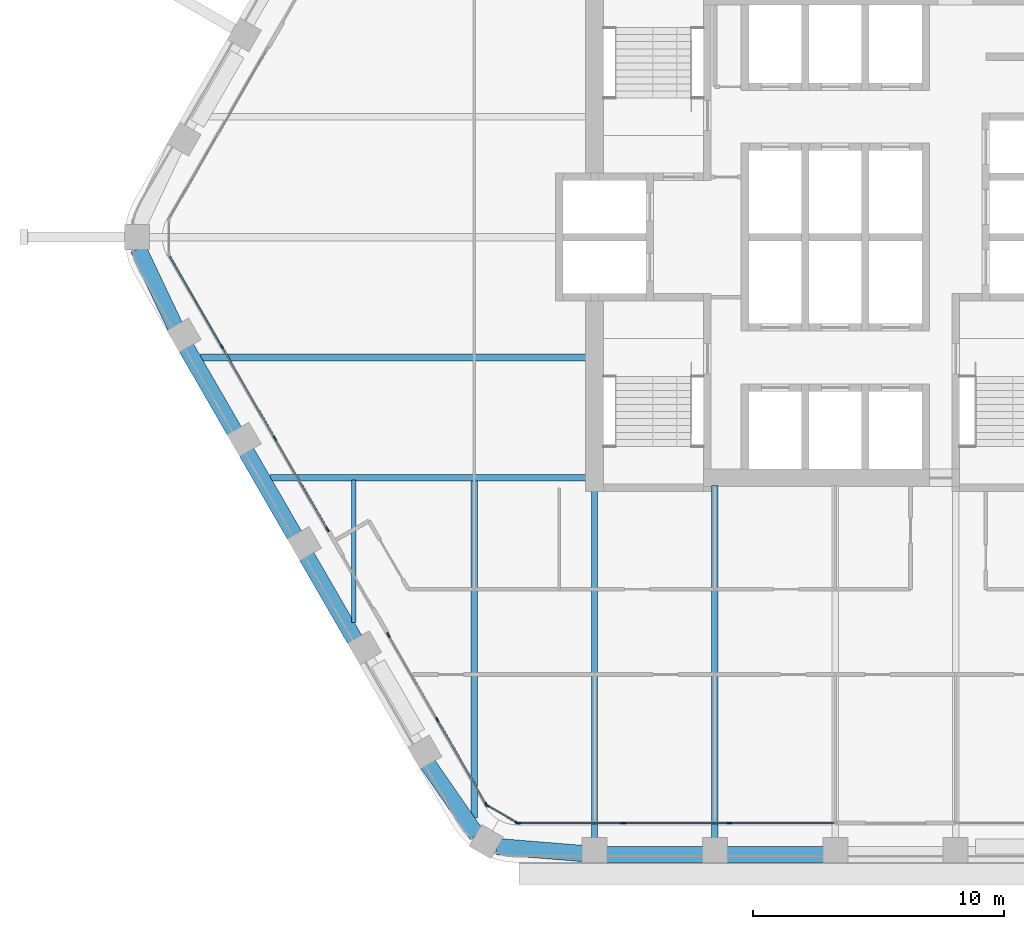
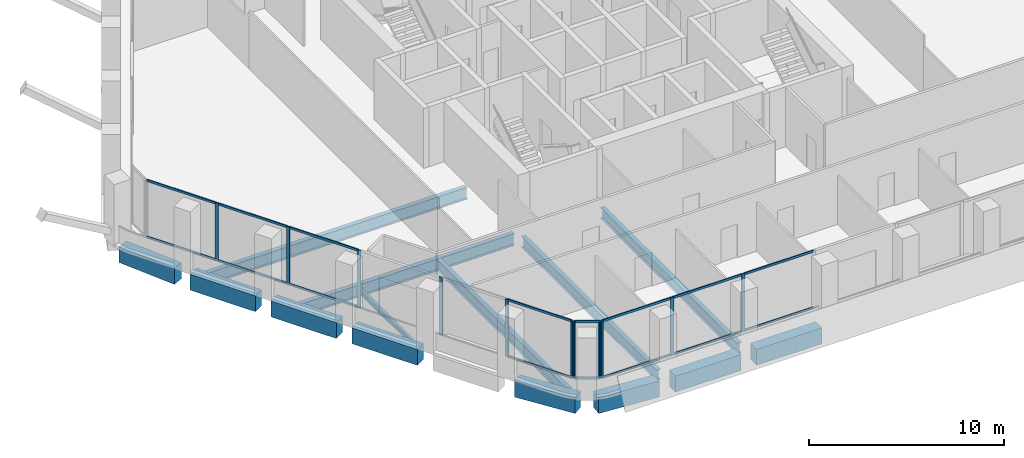
# One storey, part 2 of 16: 27 members, 14 beams, 4 elements without a shape of their own.
"""IFC4 building model written with IfcOpenShell, lengths in metres."""

from ifc_helpers import new_model, si_unit, direction, frame, origin, origin_2d, place, context, subcontext, project, spatial, rectangle, i_section, extrude, material, material_profile, profile_set, type_object, element, aggregate, save


model = new_model("IFC4")

# Units and contexts
model_context = context("Model", 3, precision=1e-05, world=origin(), true_north=direction((0.0, 1.0)))
body_context = subcontext(model_context, "Body", "Model", "MODEL_VIEW")
ifc_project = project(units=[si_unit("LENGTHUNIT", "METRE"), si_unit("AREAUNIT", "SQUARE_METRE"), si_unit("VOLUMEUNIT", "CUBIC_METRE"), si_unit("PLANEANGLEUNIT", "RADIAN"), si_unit("MASSUNIT", "GRAM", prefix="KILO")], contexts=[model_context])

# Site, building, storey
site_placement = place(None, origin())
site = spatial("IfcSite", under=ifc_project, at=site_placement, CompositionType="ELEMENT")
building_placement = place(site_placement, origin())
building = spatial("IfcBuilding", under=site, at=building_placement, Name="Kolab Exchange Tower", CompositionType="ELEMENT")
storey_placement = place(building_placement, frame((0.0, 0.0, 146.60009765625)))
storey = spatial("IfcBuildingStorey", under=building, at=storey_placement, Name="L29", CompositionType="ELEMENT", Elevation=146.60009765625)

# Beams
ifc_material_1 = material(Name="Steel S355", Category="steel")
ifc_material_profile_1 = material_profile(ifc_material_1, i_section(OverallWidth=0.1650390625, OverallDepth=0.31005859375, WebThickness=0.005859375, FlangeThickness=0.009765625, at=origin_2d()), Name="W310X39")
ifc_profile_set_1 = profile_set([ifc_material_profile_1], Name="Steel S355")
beam_type_1 = type_object("IfcBeamType", Name="FLOOR BEAM W310X39", PredefinedType="BEAM", material=ifc_profile_set_1)
beam_1_placement = place(storey_placement, frame((-19.199951171875, -15.36767578125, -0.30517578125), z_axis=(0.0, 1.0, 0.0), x_axis=(-1.0, 0.0, 0.0)))
element("IfcBeam", 1, at=beam_1_placement, inside=storey, type_object=beam_type_1, Name="beam/L29/fr/003", PredefinedType="BEAM", context=body_context, shape_type="SweptSolid", body=[
    extrude(i_section(OverallWidth=0.1650390625, OverallDepth=0.31005859375, WebThickness=0.005859375, FlangeThickness=0.009765625, at=origin_2d()), origin(), (0.0, 0.0, 1.0), 5.674072265625),
])
ifc_material_profile_2 = material_profile(ifc_material_1, i_section(OverallWidth=0.25390625, OverallDepth=0.68408203125, WebThickness=0.012451171875, FlangeThickness=0.018798828125, at=origin_2d()), Name="W690X140")
ifc_profile_set_2 = profile_set([ifc_material_profile_2], Name="Steel S355")
beam_type_2 = type_object("IfcBeamType", Name="FLOOR BEAM W690X140", PredefinedType="BEAM", material=ifc_profile_set_2)
beam_2_placement = place(storey_placement, frame((-14.39990234375, -23.15576171875, -0.4921875), z_axis=(0.0, 1.0, 0.0), x_axis=(-1.0, 0.0, 0.0)))
element("IfcBeam", 2, at=beam_2_placement, inside=storey, type_object=beam_type_2, Name="beam/L29/fr/005", PredefinedType="BEAM", context=body_context, shape_type="SweptSolid", body=[
    extrude(i_section(OverallWidth=0.25390625, OverallDepth=0.68408203125, WebThickness=0.012451171875, FlangeThickness=0.018798828125, at=origin_2d()), origin(), (0.0, 0.0, 1.0), 13.462158203125),
])
beam_3_placement = place(storey_placement, frame((-9.60009765625, -23.9814453125, -0.4921875), z_axis=(0.0, 1.0, 0.0), x_axis=(-1.0, 0.0, 0.0)))
element("IfcBeam", 3, at=beam_3_placement, inside=storey, type_object=beam_type_2, Name="beam/L29/fr/007", PredefinedType="BEAM", context=body_context, shape_type="SweptSolid", body=[
    extrude(i_section(OverallWidth=0.25390625, OverallDepth=0.68408203125, WebThickness=0.012451171875, FlangeThickness=0.018798828125, at=origin_2d()), origin(), (0.0, 0.0, 1.0), 13.871337890625),
])
beam_4_placement = place(storey_placement, frame((-4.800048828125, -23.9814453125, -0.4921875), z_axis=(0.0, 1.0, 0.0), x_axis=(-1.0, 0.0, 0.0)))
element("IfcBeam", 4, at=beam_4_placement, inside=storey, type_object=beam_type_2, Name="beam/L29/fr/009", PredefinedType="BEAM", context=body_context, shape_type="SweptSolid", body=[
    extrude(i_section(OverallWidth=0.25390625, OverallDepth=0.68408203125, WebThickness=0.012451171875, FlangeThickness=0.018798828125, at=origin_2d()), origin(), (0.0, 0.0, 1.0), 14.071533203125),
])
ifc_material_profile_3 = material_profile(ifc_material_1, i_section(OverallWidth=0.26708984375, OverallDepth=0.761962890625, WebThickness=0.014404296875, FlangeThickness=0.021484375, at=origin_2d()), Name="W760X173")
ifc_profile_set_3 = profile_set([ifc_material_profile_3], Name="Steel S355")
beam_type_3 = type_object("IfcBeamType", Name="FLOOR BEAM W760X173", PredefinedType="BEAM", material=ifc_profile_set_3)
beam_5_placement = place(storey_placement, frame((-25.318115234375, -4.800048828125, -0.531005859375), z_axis=(1.0, 0.0, 0.0), x_axis=(0.0, 1.0, 0.0)))
element("IfcBeam", 5, at=beam_5_placement, inside=storey, type_object=beam_type_3, Name="beam/L29/fr/001", PredefinedType="BEAM", context=body_context, shape_type="SweptSolid", body=[
    extrude(i_section(OverallWidth=0.26708984375, OverallDepth=0.761962890625, WebThickness=0.014404296875, FlangeThickness=0.021484375, at=origin_2d()), origin(), (0.0, 0.0, 1.0), 15.408203125),
])
ifc_material_profile_4 = material_profile(ifc_material_1, i_section(OverallWidth=0.26708984375, OverallDepth=0.761962890625, WebThickness=0.014404296875, FlangeThickness=0.021484375, at=origin_2d()), Name="W760X173")
ifc_profile_set_4 = profile_set([ifc_material_profile_4], Name="Steel S355")
beam_type_4 = type_object("IfcBeamType", Name="FLOOR GIRDER W760X173", PredefinedType="BEAM", material=ifc_profile_set_4)
beam_6_placement = place(storey_placement, frame((-22.546875, -9.60009765625, -0.531005859375), z_axis=(1.0, 0.0, 0.0), x_axis=(0.0, 1.0, 0.0)))
element("IfcBeam", 6, at=beam_6_placement, inside=storey, type_object=beam_type_4, Name="beam/L29/gd/000", PredefinedType="BEAM", context=body_context, shape_type="SweptSolid", body=[
    extrude(i_section(OverallWidth=0.26708984375, OverallDepth=0.761962890625, WebThickness=0.014404296875, FlangeThickness=0.021484375, at=origin_2d()), origin(), (0.0, 0.0, 1.0), 12.636962890625),
])
ifc_material_2 = material(Name="Concrete C60/75", Category="concrete")
ifc_material_profile_5 = material_profile(ifc_material_2, rectangle(XDim=0.64990234375, YDim=1.0, at=origin_2d()), Name="RC650X1000")
ifc_profile_set_5 = profile_set([ifc_material_profile_5], Name="Concrete C60/75")
beam_type_5 = type_object("IfcBeamType", Name="SPANDREL BEAM 650X1000 C60/75", PredefinedType="BEAM", material=ifc_profile_set_5)
beam_7_placement = place(storey_placement, frame((-0.4599609375, -24.616455078125, -0.650146484375), z_axis=(-1.0, 0.0, 0.0), x_axis=(0.0, -1.0, 0.0)))
element("IfcBeam", 7, at=beam_7_placement, inside=storey, type_object=beam_type_5, Name="beam/L29/sp/F4-04", PredefinedType="BEAM", context=body_context, shape_type="SweptSolid", body=[
    extrude(rectangle(XDim=0.64990234375, YDim=1.0, at=origin_2d()), origin(), (0.0, 0.0, 1.0), 3.880126953125),
])
beam_8_placement = place(storey_placement, frame((-5.260009765625, -24.616455078125, -0.650146484375), z_axis=(-1.0, 0.0, 0.0), x_axis=(0.0, -1.0, 0.0)))
element("IfcBeam", 8, at=beam_8_placement, inside=storey, type_object=beam_type_5, Name="beam/L29/sp/F4-05", PredefinedType="BEAM", context=body_context, shape_type="SweptSolid", body=[
    extrude(rectangle(XDim=0.64990234375, YDim=1.0, at=origin_2d()), origin(), (0.0, 0.0, 1.0), 3.8798828125),
])
for number, where, z_axis, x_axis, name in (
    (9, (-10.06005859375, -24.5791015625, -0.650146484375), (-0.996708497182, 0.081068931445, 0.0), (-0.081068931445, -0.996708497182, 0.0), "beam/L29/sp/F4-06"),
    (10, (-14.29736328125, -23.8359375, -0.650146484375), (-0.568572281073, 0.822633309073, 0.0), (-0.822633309073, -0.568572281073, 0.0), "beam/L29/sp/F5-01"),
):
    element("IfcBeam", number, at=place(storey_placement, frame(where, z_axis=z_axis, x_axis=x_axis)), inside=storey, type_object=beam_type_5, Name=name, PredefinedType="BEAM", context=body_context, shape_type="SweptSolid", body=[
        extrude(rectangle(XDim=0.64990234375, YDim=1.0, at=origin_2d()), origin(), (0.0, 0.0, 1.0), 3.445068359375),
    ])
beam_9_placement = place(storey_placement, frame((-19.1484375, -16.06689453125, -0.650146484375), z_axis=(-0.50001655835, 0.866015843605, 0.0), x_axis=(-0.866015843605, -0.50001655835, 0.0)))
element("IfcBeam", 11, at=beam_9_placement, inside=storey, type_object=beam_type_5, Name="beam/L29/sp/F5-03", PredefinedType="BEAM", context=body_context, shape_type="SweptSolid", body=[
    extrude(rectangle(XDim=0.64990234375, YDim=1.0, at=origin_2d()), origin(), (0.0, 0.0, 1.0), 3.880126953125),
])
for number, where, z_axis, x_axis, name in (
    (12, (-21.548583984375, -11.909912109375, -0.650146484375), (-0.499996613652, 0.866027358884, 0.0), (-0.866027358884, -0.499996613652, 0.0), "beam/L29/sp/F5-04"),
    (13, (-23.948486328125, -7.7529296875, -0.650146484375), (-0.499996613652, 0.866027358884, 0.0), (-0.866027358884, -0.499996613652, 0.0), "beam/L29/sp/F5-05"),
):
    element("IfcBeam", number, at=place(storey_placement, frame(where, z_axis=z_axis, x_axis=x_axis)), inside=storey, type_object=beam_type_5, Name=name, PredefinedType="BEAM", context=body_context, shape_type="SweptSolid", body=[
        extrude(rectangle(XDim=0.64990234375, YDim=1.0, at=origin_2d()), origin(), (0.0, 0.0, 1.0), 3.8798828125),
    ])
beam_10_placement = place(storey_placement, frame((-26.316162109375, -3.5771484375, -0.650146484375), z_axis=(-0.428177731975, 0.903694544545, 0.0), x_axis=(-0.903694544545, -0.428177731975, 0.0)))
element("IfcBeam", 14, at=beam_10_placement, inside=storey, type_object=beam_type_5, Name="beam/L29/sp/F5-06", PredefinedType="BEAM", context=body_context, shape_type="SweptSolid", body=[
    extrude(rectangle(XDim=0.64990234375, YDim=1.0, at=origin_2d()), origin(), (0.0, 0.0, 1.0), 3.445068359375),
])

# Curtain wall, members
ifc_material_3 = material(Name="Aluminium EN AW-6063 T6", Category="aluminium")
curtain_wall_type = type_object("IfcCurtainWallType", Name="UNITISED UPPER MID ZONE CURTAIN WALL", PredefinedType="NOTDEFINED", material=ifc_material_3)
curtain_wall_1_placement = place(storey_placement, origin())
curtain_wall_1 = element("IfcCurtainWall", 15, at=curtain_wall_1_placement, inside=storey, type_object=curtain_wall_type, Name="cw/L29/F4-2", PredefinedType="NOTDEFINED")
ifc_material_profile_6 = material_profile(ifc_material_3, rectangle(XDim=0.06005859375, YDim=0.199951171875, at=origin_2d()), Name="RECT 60X200")
ifc_profile_set_6 = profile_set([ifc_material_profile_6], Name="Aluminium EN AW-6063 T6")
member_type_1 = type_object("IfcMemberType", Name="UNITISED UPPER MID ZONE MULLION 60 X 200", PredefinedType="MULLION", material=ifc_profile_set_6)
member_1_placement = place(storey_placement, frame((-4.22265625, -23.361572265625, 0.0), z_axis=(0.0, 0.0, 1.0), x_axis=(0.0, -1.0, 0.0)))
member_1 = element("IfcMember", 16, at=member_1_placement, type_object=member_type_1, Name="CW3 mullion 2", PredefinedType="MULLION", context=body_context, shape_type="SweptSolid", body=[
    extrude(rectangle(XDim=0.06005859375, YDim=0.199951171875, at=origin_2d()), origin(), (0.0, 0.0, 1.0), 3.599853515625),
])
member_2_placement = place(storey_placement, frame((-8.4453125, -23.361572265625, 0.0), z_axis=(0.0, 0.0, 1.0), x_axis=(0.0, -1.0, 0.0)))
member_2 = element("IfcMember", 17, at=member_2_placement, type_object=member_type_1, Name="CW3 mullion 3", PredefinedType="MULLION", context=body_context, shape_type="SweptSolid", body=[
    extrude(rectangle(XDim=0.06005859375, YDim=0.199951171875, at=origin_2d()), origin(), (0.0, 0.0, 1.0), 3.599853515625),
])
member_3_placement = place(storey_placement, frame((-12.637939453125, -23.361572265625, 0.0), z_axis=(0.0, 0.0, 1.0), x_axis=(0.0, -1.0, 0.0)))
member_3 = element("IfcMember", 18, at=member_3_placement, type_object=member_type_1, Name="CW3 mullion 4", PredefinedType="MULLION", context=body_context, shape_type="SweptSolid", body=[
    extrude(rectangle(XDim=0.06005859375, YDim=0.199951171875, at=origin_2d()), origin(), (0.0, 0.0, 1.0), 3.599853515625),
])

curtain_wall_2_placement = place(storey_placement, origin())
curtain_wall_2 = element("IfcCurtainWall", 19, at=curtain_wall_2_placement, inside=storey, type_object=curtain_wall_type, Name="cw/L29/F5-1", PredefinedType="NOTDEFINED")
member_4_placement = place(storey_placement, frame((-13.91259765625, -22.62548828125, 0.0), z_axis=(0.0, 0.0, 1.0), x_axis=(-0.866025385493, -0.500000031681, 0.0)))
member_4 = element("IfcMember", 20, at=member_4_placement, type_object=member_type_1, Name="CW3 mullion 1", PredefinedType="MULLION", context=body_context, shape_type="SweptSolid", body=[
    extrude(rectangle(XDim=0.06005859375, YDim=0.199951171875, at=origin_2d()), origin(), (0.0, 0.0, 1.0), 3.599853515625),
])
member_5_placement = place(storey_placement, frame((-15.86474609375, -19.24462890625, 0.0), z_axis=(0.0, 0.0, 1.0), x_axis=(-0.866025385493, -0.500000031681, 0.0)))
member_5 = element("IfcMember", 21, at=member_5_placement, type_object=member_type_1, Name="CW3 mullion 2", PredefinedType="MULLION", context=body_context, shape_type="SweptSolid", body=[
    extrude(rectangle(XDim=0.06005859375, YDim=0.199951171875, at=origin_2d()), origin(), (0.0, 0.0, 1.0), 3.599853515625),
])
member_6_placement = place(storey_placement, frame((-17.816650390625, -15.86376953125, 0.0), z_axis=(0.0, 0.0, 1.0), x_axis=(-0.866025385493, -0.500000031681, 0.0)))
member_6 = element("IfcMember", 22, at=member_6_placement, type_object=member_type_1, Name="CW3 mullion 3", PredefinedType="MULLION", context=body_context, shape_type="SweptSolid", body=[
    extrude(rectangle(XDim=0.06005859375, YDim=0.199951171875, at=origin_2d()), origin(), (0.0, 0.0, 1.0), 3.599853515625),
])

curtain_wall_3_placement = place(storey_placement, origin())
curtain_wall_3 = element("IfcCurtainWall", 23, at=curtain_wall_3_placement, inside=storey, type_object=curtain_wall_type, Name="cw/L29/F5-2", PredefinedType="NOTDEFINED")
member_7_placement = place(storey_placement, frame((-20.24658203125, -11.65478515625, 0.0), z_axis=(0.0, 0.0, 1.0), x_axis=(-0.866025427826, -0.499999958358, 0.0)))
member_7 = element("IfcMember", 24, at=member_7_placement, type_object=member_type_1, Name="CW3 mullion 1", PredefinedType="MULLION", context=body_context, shape_type="SweptSolid", body=[
    extrude(rectangle(XDim=0.06005859375, YDim=0.199951171875, at=origin_2d()), origin(), (0.0, 0.0, 1.0), 3.599853515625),
])
member_8_placement = place(storey_placement, frame((-22.343017578125, -8.02392578125, 0.0), z_axis=(0.0, 0.0, 1.0), x_axis=(-0.866025427826, -0.499999958358, 0.0)))
member_8 = element("IfcMember", 25, at=member_8_placement, type_object=member_type_1, Name="CW3 mullion 2", PredefinedType="MULLION", context=body_context, shape_type="SweptSolid", body=[
    extrude(rectangle(XDim=0.06005859375, YDim=0.199951171875, at=origin_2d()), origin(), (0.0, 0.0, 1.0), 3.599853515625),
])
member_9_placement = place(storey_placement, frame((-24.454345703125, -4.366943359375, 0.0), z_axis=(0.0, 0.0, 1.0), x_axis=(-0.866025427826, -0.499999958358, 0.0)))
member_9 = element("IfcMember", 26, at=member_9_placement, type_object=member_type_1, Name="CW3 mullion 3", PredefinedType="MULLION", context=body_context, shape_type="SweptSolid", body=[
    extrude(rectangle(XDim=0.06005859375, YDim=0.199951171875, at=origin_2d()), origin(), (0.0, 0.0, 1.0), 3.599853515625),
])

curtain_wall_4_placement = place(storey_placement, origin())
curtain_wall_4 = element("IfcCurtainWall", 27, at=curtain_wall_4_placement, inside=storey, type_object=curtain_wall_type, Name="cw/L29/F4F5-corner", PredefinedType="NOTDEFINED")
member_10_placement = place(storey_placement, frame((-12.69384765625, -23.346435546875, 0.0), z_axis=(0.0, 0.0, 1.0), x_axis=(-0.50000002237, -0.866025390869, 0.0)))
member_10 = element("IfcMember", 28, at=member_10_placement, type_object=member_type_1, Name="CW3 mullion 1", PredefinedType="MULLION", context=body_context, shape_type="SweptSolid", body=[
    extrude(rectangle(XDim=0.06005859375, YDim=0.199951171875, at=origin_2d()), origin(), (0.0, 0.0, 1.0), 3.599853515625),
])
member_11_placement = place(storey_placement, frame((-13.871826171875, -22.66650390625, 0.0), z_axis=(0.0, 0.0, 1.0), x_axis=(-0.50000002237, -0.866025390869, 0.0)))
member_11 = element("IfcMember", 29, at=member_11_placement, type_object=member_type_1, Name="CW3 mullion 2", PredefinedType="MULLION", context=body_context, shape_type="SweptSolid", body=[
    extrude(rectangle(XDim=0.06005859375, YDim=0.199951171875, at=origin_2d()), origin(), (0.0, 0.0, 1.0), 3.599853515625),
])

# Member
ifc_material_profile_7 = material_profile(ifc_material_3, rectangle(XDim=0.06005859375, YDim=0.139892578125, at=origin_2d()), Name="RECT 60X140")
ifc_profile_set_7 = profile_set([ifc_material_profile_7], Name="Aluminium EN AW-6063 T6")
member_type_2 = type_object("IfcMemberType", Name="UNITISED UPPER MID ZONE TRANSOM 60 X 140", PredefinedType="USERDEFINED", material=ifc_profile_set_7)
member_12_placement = place(storey_placement, frame((-0.06005859375, -23.361572265625, 0.02978515625), z_axis=(-1.0, 0.0, 0.0), x_axis=(0.0, -1.0, 0.0)))
member_12 = element("IfcMember", 30, at=member_12_placement, type_object=member_type_2, Name="CW3 transom 1.1", ObjectType="TRANSOM", PredefinedType="USERDEFINED", context=body_context, shape_type="SweptSolid", body=[
    extrude(rectangle(XDim=0.06005859375, YDim=0.139892578125, at=origin_2d()), origin(), (0.0, 0.0, 1.0), 4.132568359375),
])

member_13_placement = place(storey_placement, frame((-0.06005859375, -23.361572265625, 3.56982421875), z_axis=(-1.0, 0.0, 0.0), x_axis=(0.0, -1.0, 0.0)))
member_13 = element("IfcMember", 31, at=member_13_placement, type_object=member_type_2, Name="CW3 transom 1.2", ObjectType="TRANSOM", PredefinedType="USERDEFINED", context=body_context, shape_type="SweptSolid", body=[
    extrude(rectangle(XDim=0.06005859375, YDim=0.139892578125, at=origin_2d()), origin(), (0.0, 0.0, 1.0), 4.132568359375),
])

member_14_placement = place(storey_placement, frame((-4.252685546875, -23.361572265625, 0.02978515625), z_axis=(-1.0, 0.0, 0.0), x_axis=(0.0, -1.0, 0.0)))
member_14 = element("IfcMember", 32, at=member_14_placement, type_object=member_type_2, Name="CW3 transom 2.1", ObjectType="TRANSOM", PredefinedType="USERDEFINED", context=body_context, shape_type="SweptSolid", body=[
    extrude(rectangle(XDim=0.06005859375, YDim=0.139892578125, at=origin_2d()), origin(), (0.0, 0.0, 1.0), 4.16259765625),
])

member_15_placement = place(storey_placement, frame((-4.252685546875, -23.361572265625, 3.56982421875), z_axis=(-1.0, 0.0, 0.0), x_axis=(0.0, -1.0, 0.0)))
member_15 = element("IfcMember", 33, at=member_15_placement, type_object=member_type_2, Name="CW3 transom 2.2", ObjectType="TRANSOM", PredefinedType="USERDEFINED", context=body_context, shape_type="SweptSolid", body=[
    extrude(rectangle(XDim=0.06005859375, YDim=0.139892578125, at=origin_2d()), origin(), (0.0, 0.0, 1.0), 4.16259765625),
])

member_16_placement = place(storey_placement, frame((-8.475341796875, -23.361572265625, 0.02978515625), z_axis=(-1.0, 0.0, 0.0), x_axis=(0.0, -1.0, 0.0)))
member_16 = element("IfcMember", 34, at=member_16_placement, type_object=member_type_2, Name="CW3 transom 3.1", ObjectType="TRANSOM", PredefinedType="USERDEFINED", context=body_context, shape_type="SweptSolid", body=[
    extrude(rectangle(XDim=0.06005859375, YDim=0.139892578125, at=origin_2d()), origin(), (0.0, 0.0, 1.0), 4.132568359375),
])

member_17_placement = place(storey_placement, frame((-8.475341796875, -23.361572265625, 3.56982421875), z_axis=(-1.0, 0.0, 0.0), x_axis=(0.0, -1.0, 0.0)))
member_17 = element("IfcMember", 35, at=member_17_placement, type_object=member_type_2, Name="CW3 transom 3.2", ObjectType="TRANSOM", PredefinedType="USERDEFINED", context=body_context, shape_type="SweptSolid", body=[
    extrude(rectangle(XDim=0.06005859375, YDim=0.139892578125, at=origin_2d()), origin(), (0.0, 0.0, 1.0), 4.132568359375),
])

aggregate(curtain_wall_1, [member_1, member_2, member_3, member_12, member_13, member_14, member_15, member_16, member_17])

member_18_placement = place(storey_placement, frame((-13.927734375, -22.599609375, 0.02978515625), z_axis=(-0.499964356602, 0.866045981532, 0.0), x_axis=(-0.866045981532, -0.499964356602, 0.0)))
member_18 = element("IfcMember", 36, at=member_18_placement, type_object=member_type_2, Name="CW3 transom 1.1", ObjectType="TRANSOM", PredefinedType="USERDEFINED", context=body_context, shape_type="SweptSolid", body=[
    extrude(rectangle(XDim=0.06005859375, YDim=0.139892578125, at=origin_2d()), origin(), (0.0, 0.0, 1.0), 3.843994140625),
])

member_19_placement = place(storey_placement, frame((-13.927734375, -22.599609375, 3.56982421875), z_axis=(-0.499964356602, 0.866045981532, 0.0), x_axis=(-0.866045981532, -0.499964356602, 0.0)))
member_19 = element("IfcMember", 37, at=member_19_placement, type_object=member_type_2, Name="CW3 transom 1.2", ObjectType="TRANSOM", PredefinedType="USERDEFINED", context=body_context, shape_type="SweptSolid", body=[
    extrude(rectangle(XDim=0.06005859375, YDim=0.139892578125, at=origin_2d()), origin(), (0.0, 0.0, 1.0), 3.843994140625),
])

aggregate(curtain_wall_2, [member_4, member_5, member_6, member_18, member_19])

member_20_placement = place(storey_placement, frame((-20.26171875, -11.62890625, 0.02978515625), z_axis=(-0.500001996123, 0.866024251319, 0.0), x_axis=(-0.866024251319, -0.500001996123, 0.0)))
member_20 = element("IfcMember", 38, at=member_20_placement, type_object=member_type_2, Name="CW3 transom 1.1", ObjectType="TRANSOM", PredefinedType="USERDEFINED", context=body_context, shape_type="SweptSolid", body=[
    extrude(rectangle(XDim=0.06005859375, YDim=0.139892578125, at=origin_2d()), origin(), (0.0, 0.0, 1.0), 4.1328125),
])

member_21_placement = place(storey_placement, frame((-20.26171875, -11.62890625, 3.56982421875), z_axis=(-0.500001996123, 0.866024251319, 0.0), x_axis=(-0.866024251319, -0.500001996123, 0.0)))
member_21 = element("IfcMember", 39, at=member_21_placement, type_object=member_type_2, Name="CW3 transom 1.2", ObjectType="TRANSOM", PredefinedType="USERDEFINED", context=body_context, shape_type="SweptSolid", body=[
    extrude(rectangle(XDim=0.06005859375, YDim=0.139892578125, at=origin_2d()), origin(), (0.0, 0.0, 1.0), 4.1328125),
])

member_22_placement = place(storey_placement, frame((-22.35791015625, -7.997802734375, 0.02978515625), z_axis=(-0.49999322259, 0.866029316688, 0.0), x_axis=(-0.866029316688, -0.49999322259, 0.0)))
member_22 = element("IfcMember", 40, at=member_22_placement, type_object=member_type_2, Name="CW3 transom 2.1", ObjectType="TRANSOM", PredefinedType="USERDEFINED", context=body_context, shape_type="SweptSolid", body=[
    extrude(rectangle(XDim=0.06005859375, YDim=0.139892578125, at=origin_2d()), origin(), (0.0, 0.0, 1.0), 4.16259765625),
])

member_23_placement = place(storey_placement, frame((-22.35791015625, -7.997802734375, 3.56982421875), z_axis=(-0.49999322259, 0.866029316688, 0.0), x_axis=(-0.866029316688, -0.49999322259, 0.0)))
member_23 = element("IfcMember", 41, at=member_23_placement, type_object=member_type_2, Name="CW3 transom 2.2", ObjectType="TRANSOM", PredefinedType="USERDEFINED", context=body_context, shape_type="SweptSolid", body=[
    extrude(rectangle(XDim=0.06005859375, YDim=0.139892578125, at=origin_2d()), origin(), (0.0, 0.0, 1.0), 4.16259765625),
])

member_24_placement = place(storey_placement, frame((-24.46923828125, -4.3408203125, 0.02978515625), z_axis=(-0.500027577057, 0.866009481578, 0.0), x_axis=(-0.866009481578, -0.500027577057, 0.0)))
member_24 = element("IfcMember", 42, at=member_24_placement, type_object=member_type_2, Name="CW3 transom 3.1", ObjectType="TRANSOM", PredefinedType="USERDEFINED", context=body_context, shape_type="SweptSolid", body=[
    extrude(rectangle(XDim=0.06005859375, YDim=0.139892578125, at=origin_2d()), origin(), (0.0, 0.0, 1.0), 4.132568359375),
])

member_25_placement = place(storey_placement, frame((-24.46923828125, -4.3408203125, 3.56982421875), z_axis=(-0.500027577057, 0.866009481578, 0.0), x_axis=(-0.866009481578, -0.500027577057, 0.0)))
member_25 = element("IfcMember", 43, at=member_25_placement, type_object=member_type_2, Name="CW3 transom 3.2", ObjectType="TRANSOM", PredefinedType="USERDEFINED", context=body_context, shape_type="SweptSolid", body=[
    extrude(rectangle(XDim=0.06005859375, YDim=0.139892578125, at=origin_2d()), origin(), (0.0, 0.0, 1.0), 4.132568359375),
])

aggregate(curtain_wall_3, [member_7, member_8, member_9, member_20, member_21, member_22, member_23, member_24, member_25])

member_26_placement = place(storey_placement, frame((-12.719970703125, -23.33154296875, 0.02978515625), z_axis=(-0.86603858612, 0.49997716683, 0.0), x_axis=(-0.49997716683, -0.86603858612, 0.0)))
member_26 = element("IfcMember", 44, at=member_26_placement, type_object=member_type_2, Name="CW3 transom 1.1", ObjectType="TRANSOM", PredefinedType="USERDEFINED", context=body_context, shape_type="SweptSolid", body=[
    extrude(rectangle(XDim=0.06005859375, YDim=0.139892578125, at=origin_2d()), origin(), (0.0, 0.0, 1.0), 1.2998046875),
])

member_27_placement = place(storey_placement, frame((-12.719970703125, -23.33154296875, 3.56982421875), z_axis=(-0.86603858612, 0.49997716683, 0.0), x_axis=(-0.49997716683, -0.86603858612, 0.0)))
member_27 = element("IfcMember", 45, at=member_27_placement, type_object=member_type_2, Name="CW3 transom 1.2", ObjectType="TRANSOM", PredefinedType="USERDEFINED", context=body_context, shape_type="SweptSolid", body=[
    extrude(rectangle(XDim=0.06005859375, YDim=0.139892578125, at=origin_2d()), origin(), (0.0, 0.0, 1.0), 1.2998046875),
])

aggregate(curtain_wall_4, [member_10, member_11, member_26, member_27])

save(model, "model.ifc")
